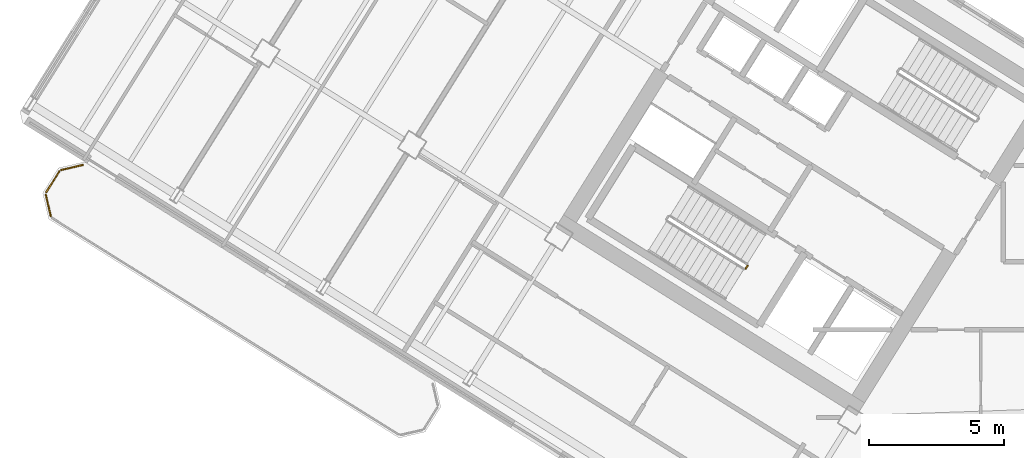
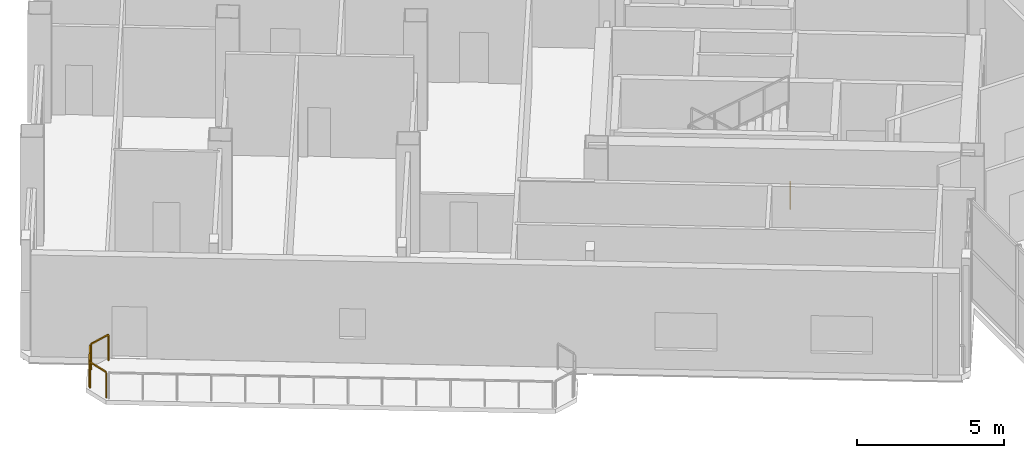
# One storey, part 29 of 34: 4 railings.
"""IFC4 building model written with IfcOpenShell, lengths in metres."""

from ifc_helpers import new_model, si_unit, direction, frame, origin, origin_2d, place, context, subcontext, project, spatial, rectangle, extrude, source, transform, mapped, material, type_object, element, save


model = new_model("IFC4")

# Units and contexts
model_context = context("Model", 3, precision=1e-05, world=origin(), true_north=direction((0.0, 1.0)))
body_context = subcontext(model_context, "Body", "Model", "MODEL_VIEW")
ifc_project = project(units=[si_unit("LENGTHUNIT", "METRE"), si_unit("AREAUNIT", "SQUARE_METRE"), si_unit("VOLUMEUNIT", "CUBIC_METRE"), si_unit("PLANEANGLEUNIT", "RADIAN"), si_unit("MASSUNIT", "GRAM", prefix="KILO")], contexts=[model_context])

# Site, building, storey
site_placement = place(None, origin())
site = spatial("IfcSite", under=ifc_project, at=site_placement, CompositionType="ELEMENT")
building_placement = place(site_placement, origin())
building = spatial("IfcBuilding", under=site, at=building_placement, Name="Tlacorven Tower", CompositionType="ELEMENT")
storey_placement = place(building_placement, frame((0.0, 0.0, 174.89990234375)))
storey = spatial("IfcBuildingStorey", under=building, at=storey_placement, Name="L44", CompositionType="ELEMENT", Elevation=174.89990234375)

# Railings
ifc_material = material(Name="Aluminium and painted steel balustrade", Category="steel")
railing_type_1 = type_object("IfcRailingType", Name="RL-BAL-1100", PredefinedType="BALUSTRADE", material=ifc_material)
shared_shape_1 = source(origin(), body_context, "Body", "SweptSolid", [
    extrude(rectangle(XDim=0.048095703125, YDim=0.048095703125, at=origin_2d()), frame((0.0, 0.0, 1.076171875), z_axis=(-0.225058334816, 0.974345290916, 0.0), x_axis=(-0.974345290916, -0.225058334816, 0.0)), (0.0, 0.0, 1.0), 0.80712890625),
    extrude(rectangle(XDim=0.0419921875, YDim=0.0419921875, at=origin_2d()), origin(), (0.0, 0.0, 1.0), 1.052001953125),
    extrude(rectangle(XDim=0.0419921875, YDim=0.0419921875, at=origin_2d()), frame((-0.181640625, 0.786376953125, 0.0)), (0.0, 0.0, 1.0), 1.052001953125),
])
railing_1_placement = place(storey_placement, frame((3.380859375, 19.62841796875, 0.0)))
element("IfcRailing", 1, at=railing_1_placement, inside=storey, type_object=railing_type_1, Name="BAL-L44-W-OUT Guard Railing 5", PredefinedType="BALUSTRADE", context=body_context, shape_type="MappedRepresentation", body=[
    mapped(shared_shape_1, transform((0.0, 0.0, 0.0), scale=1.0)),
])
shared_shape_2 = source(origin(), body_context, "Body", "SweptSolid", [
    extrude(rectangle(XDim=0.048095703125, YDim=0.048095703125, at=origin_2d()), frame((0.0, 0.0, 1.076171875), z_axis=(0.52987865805, 0.848073468364, 0.0), x_axis=(-0.848073468364, 0.52987865805, 0.0)), (0.0, 0.0, 1.0), 0.912353515625),
    extrude(rectangle(XDim=0.0419921875, YDim=0.0419921875, at=origin_2d()), origin(), (0.0, 0.0, 1.0), 1.052001953125),
    extrude(rectangle(XDim=0.0419921875, YDim=0.0419921875, at=origin_2d()), frame((0.4833984375, 0.773681640625, 0.0)), (0.0, 0.0, 1.0), 1.052001953125),
])
railing_2_placement = place(storey_placement, frame((3.214599609375, 20.505859375, 0.0)))
element("IfcRailing", 2, at=railing_2_placement, inside=storey, type_object=railing_type_1, Name="BAL-L44-W-OUT Guard Railing 6", PredefinedType="BALUSTRADE", context=body_context, shape_type="MappedRepresentation", body=[
    mapped(shared_shape_2, transform((0.0, 0.0, 0.0), scale=1.0)),
])
shared_shape_3 = source(origin(), body_context, "Body", "SweptSolid", [
    extrude(rectangle(XDim=0.048095703125, YDim=0.048095703125, at=origin_2d()), frame((0.0, 0.0, 1.076171875), z_axis=(0.974345290916, 0.225058334816, 0.0), x_axis=(-0.225058334816, 0.974345290916, 0.0)), (0.0, 0.0, 1.0), 0.80712890625),
    extrude(rectangle(XDim=0.0419921875, YDim=0.0419921875, at=origin_2d()), origin(), (0.0, 0.0, 1.0), 1.052001953125),
    extrude(rectangle(XDim=0.0419921875, YDim=0.0419921875, at=origin_2d()), frame((0.786376953125, 0.181640625, 0.0)), (0.0, 0.0, 1.0), 1.052001953125),
])
railing_3_placement = place(storey_placement, frame((3.773193359375, 21.3330078125, 0.0)))
element("IfcRailing", 3, at=railing_3_placement, inside=storey, type_object=railing_type_1, Name="BAL-L44-W-OUT Guard Railing 7", PredefinedType="BALUSTRADE", context=body_context, shape_type="MappedRepresentation", body=[
    mapped(shared_shape_3, transform((0.0, 0.0, 0.0), scale=1.0)),
])
railing_type_2 = type_object("IfcRailingType", Name="RL-GRD-1100", PredefinedType="GUARDRAIL", material=ifc_material)
shared_shape_4 = source(origin(), body_context, "Body", "SweptSolid", [
    extrude(rectangle(XDim=0.048095703125, YDim=0.048095703125, at=origin_2d()), frame((0.0, 0.0, 1.076171875), z_axis=(-0.529084052582, -0.848569422795, 0.0), x_axis=(0.848569422795, -0.529084052582, 0.0)), (0.0, 0.0, 1.0), 0.119873046875),
    extrude(rectangle(XDim=0.0419921875, YDim=0.0419921875, at=origin_2d()), origin(), (0.0, 0.0, 1.0), 1.052001953125),
    extrude(rectangle(XDim=0.0419921875, YDim=0.0419921875, at=origin_2d()), frame((-0.0634765625, -0.101806640625, 0.0)), (0.0, 0.0, 1.0), 1.052001953125),
])
railing_4_placement = place(storey_placement, frame((29.176513671875, 17.782958984375, 0.0)))
element("IfcRailing", 4, at=railing_4_placement, inside=storey, type_object=railing_type_2, Name="L44 ST-W1 stair guard 4", PredefinedType="GUARDRAIL", context=body_context, shape_type="MappedRepresentation", body=[
    mapped(shared_shape_4, transform((0.0, 0.0, 0.0), scale=1.0)),
])

save(model, "model.ifc")
